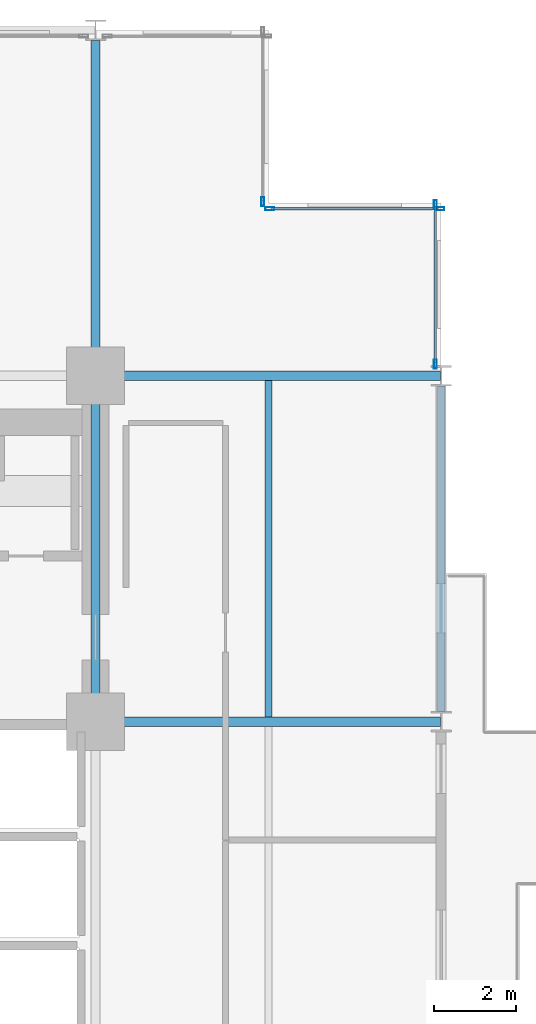
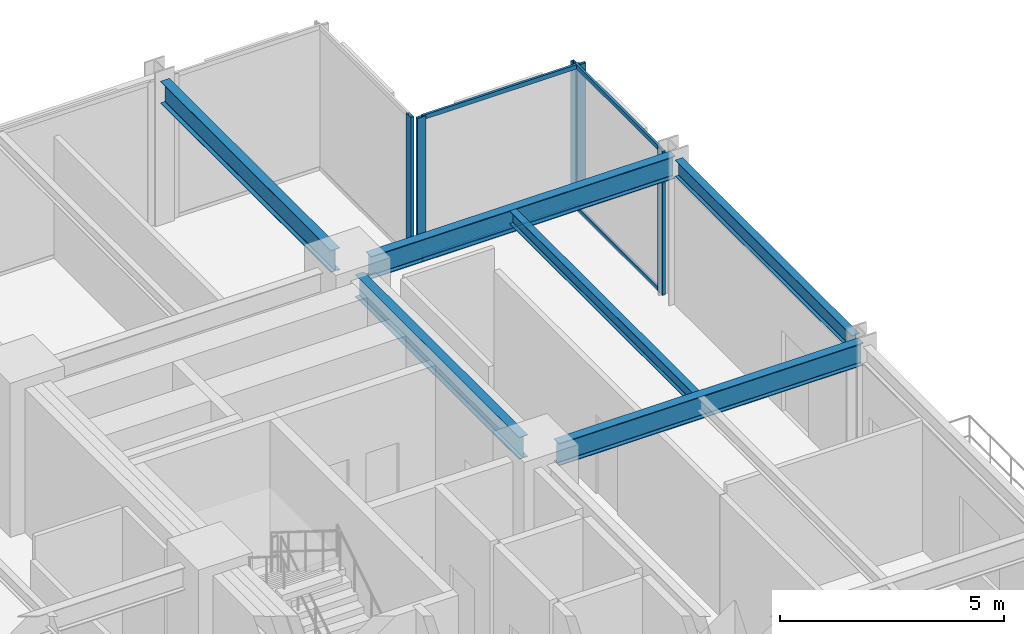
# One storey, part 16 of 24: 9 members, 6 beams, 3 elements without a shape of their own.
"""IFC4 building model written with IfcOpenShell, lengths in metres."""

from ifc_helpers import new_model, si_unit, direction, frame, origin, origin_2d, place, context, subcontext, project, spatial, hollow_rectangle, i_section, extrude, material, layer, layer_set, material_profile, profile_set, type_object, element, aggregate, save


model = new_model("IFC4")

# Units and contexts
model_context = context("Model", 3, precision=1e-05, world=origin(), true_north=direction((0.0, 1.0)))
body_context = subcontext(model_context, "Body", "Model", "MODEL_VIEW")
ifc_project = project(units=[si_unit("LENGTHUNIT", "METRE"), si_unit("AREAUNIT", "SQUARE_METRE"), si_unit("VOLUMEUNIT", "CUBIC_METRE"), si_unit("PLANEANGLEUNIT", "RADIAN"), si_unit("MASSUNIT", "GRAM", prefix="KILO")], contexts=[model_context])

# Site, building, storey
site_placement = place(None, origin())
site = spatial("IfcSite", under=ifc_project, at=site_placement, CompositionType="ELEMENT")
building_placement = place(site_placement, origin())
building = spatial("IfcBuilding", under=site, at=building_placement, Name="Nerrivon Quay Data Exchange", CompositionType="ELEMENT")
storey_placement = place(building_placement, frame((0.0, 0.0, 50.0)))
storey = spatial("IfcBuildingStorey", under=building, at=storey_placement, Name="L11", CompositionType="ELEMENT", Elevation=50.0)

# Beams
ifc_material_1 = material(Name="Steel Grade 350", Category="steel")
ifc_material_profile_1 = material_profile(ifc_material_1, i_section(OverallWidth=0.22900390625, OverallDepth=0.612060546875, WebThickness=0.011962890625, FlangeThickness=0.01953125, FilletRadius=0.013916015625, at=origin_2d()), Name="610UB125")
ifc_profile_set_1 = profile_set([ifc_material_profile_1], Name="Steel Grade 350")
beam_type_1 = type_object("IfcBeamType", Name="BM-G1-610UB125", PredefinedType="BEAM", material=ifc_profile_set_1)
for number, where, z_axis, x_axis, name in (
    (1, (17.340087890625, 33.60009765625, 3.618896484375), (1.0, 0.0, 0.0), (0.0, 1.0, 0.0), "L11 EW Girder Y=33.6 (16.8..25.2)"),
    (2, (17.340087890625, 42.0, 3.618896484375), (1.0, 0.0, 0.0), (0.0, 1.0, 0.0), "L11 EW Girder Y=42.0 (16.8..25.2)"),
):
    element("IfcBeam", number, at=place(storey_placement, frame(where, z_axis=z_axis, x_axis=x_axis)), inside=storey, type_object=beam_type_1, Name=name, PredefinedType="BEAM", context=body_context, shape_type="SweptSolid", body=[
        extrude(i_section(OverallWidth=0.22900390625, OverallDepth=0.612060546875, WebThickness=0.011962890625, FlangeThickness=0.01953125, FilletRadius=0.013916015625, at=origin_2d()), origin(), (0.0, 0.0, 1.0), 7.845947265625),
    ])
ifc_material_profile_2 = material_profile(ifc_material_1, i_section(OverallWidth=0.22802734375, OverallDepth=0.60205078125, WebThickness=0.010498046875, FlangeThickness=0.014892578125, FilletRadius=0.013916015625, at=origin_2d()), Name="610UB101")
ifc_profile_set_2 = profile_set([ifc_material_profile_2], Name="Steel Grade 350")
beam_type_2 = type_object("IfcBeamType", Name="BM-G2-610UB101", PredefinedType="BEAM", material=ifc_profile_set_2)
beam_1_placement = place(storey_placement, frame((16.800048828125, 34.139892578125, 3.6240234375), z_axis=(0.0, 1.0, 0.0), x_axis=(-1.0, 0.0, 0.0)))
element("IfcBeam", 3, at=beam_1_placement, inside=storey, type_object=beam_type_2, Name="L11 NS Girder X=16.8 (33.6..42.0)", PredefinedType="BEAM", context=body_context, shape_type="SweptSolid", body=[
    extrude(i_section(OverallWidth=0.22802734375, OverallDepth=0.60205078125, WebThickness=0.010498046875, FlangeThickness=0.014892578125, FilletRadius=0.013916015625, at=origin_2d()), origin(), (0.0, 0.0, 1.0), 7.320068359375),
])
beam_2_placement = place(storey_placement, frame((16.800048828125, 42.5400390625, 3.6240234375), z_axis=(0.0, 1.0, 0.0), x_axis=(-1.0, 0.0, 0.0)))
element("IfcBeam", 4, at=beam_2_placement, inside=storey, type_object=beam_type_2, Name="L11 NS Girder X=16.8 (42.0..50.4)", PredefinedType="BEAM", context=body_context, shape_type="SweptSolid", body=[
    extrude(i_section(OverallWidth=0.22802734375, OverallDepth=0.60205078125, WebThickness=0.010498046875, FlangeThickness=0.014892578125, FilletRadius=0.013916015625, at=origin_2d()), origin(), (0.0, 0.0, 1.0), 7.60986328125),
])
ifc_material_profile_3 = material_profile(ifc_material_1, i_section(OverallWidth=0.172119140625, OverallDepth=0.35888671875, WebThickness=0.008056640625, FlangeThickness=0.012939453125, FilletRadius=0.011474609375, at=origin_2d()), Name="360UB56.7")
ifc_profile_set_3 = profile_set([ifc_material_profile_3], Name="Steel Grade 350")
beam_type_3 = type_object("IfcBeamType", Name="BM-J3-360UB57", PredefinedType="JOIST", material=ifc_profile_set_3)
beam_3_placement = place(storey_placement, frame((21.0, 33.714599609375, 3.74560546875), z_axis=(0.0, 1.0, 0.0), x_axis=(-1.0, 0.0, 0.0)))
element("IfcBeam", 5, at=beam_3_placement, inside=storey, type_object=beam_type_3, Name="L11 Secondary Joist X=21.0 (33.6..42.0)", PredefinedType="JOIST", context=body_context, shape_type="SweptSolid", body=[
    extrude(i_section(OverallWidth=0.172119140625, OverallDepth=0.35888671875, WebThickness=0.008056640625, FlangeThickness=0.012939453125, FilletRadius=0.011474609375, at=origin_2d()), origin(), (0.0, 0.0, 1.0), 8.1708984375),
])
ifc_material_profile_4 = material_profile(ifc_material_1, i_section(OverallWidth=0.18994140625, OverallDepth=0.4541015625, WebThickness=0.008544921875, FlangeThickness=0.0126953125, FilletRadius=0.011474609375, at=origin_2d()), Name="460UB67.1")
ifc_profile_set_4 = profile_set([ifc_material_profile_4], Name="Steel Grade 350")
beam_type_4 = type_object("IfcBeamType", Name="BM-SP1-460UB67", PredefinedType="SPANDREL", material=ifc_profile_set_4)
beam_4_placement = place(storey_placement, frame((25.199951171875, 33.85009765625, 3.697998046875), z_axis=(0.0, 1.0, 0.0), x_axis=(-1.0, 0.0, 0.0)))
element("IfcBeam", 6, at=beam_4_placement, inside=storey, type_object=beam_type_4, Name="L11 NS Girder X=25.2 (33.6..42.0)", PredefinedType="SPANDREL", context=body_context, shape_type="SweptSolid", body=[
    extrude(i_section(OverallWidth=0.18994140625, OverallDepth=0.4541015625, WebThickness=0.008544921875, FlangeThickness=0.0126953125, FilletRadius=0.011474609375, at=origin_2d()), origin(), (0.0, 0.0, 1.0), 7.89990234375),
])

# Curtain wall, member
ifc_material_2 = material(Name="Anodised aluminium 6063-T6", Category="aluminium")
ifc_layer = layer(ifc_material_2, 0.219970703125)
ifc_layer_set = layer_set([ifc_layer], Name="Anodised aluminium 6063-T6")
curtain_wall_type = type_object("IfcCurtainWallType", Name="CW-SYS-01", PredefinedType="NOTDEFINED", material=ifc_layer_set)
curtain_wall_1_placement = place(storey_placement, origin())
curtain_wall_1 = element("IfcCurtainWall", 7, at=curtain_wall_1_placement, inside=storey, type_object=curtain_wall_type, Name="L11 Unitised Curtain Wall 23", PredefinedType="NOTDEFINED")
ifc_material_profile_5 = material_profile(ifc_material_2, hollow_rectangle(XDim=0.074951171875, YDim=0.219970703125, WallThickness=0.00390625, at=origin_2d()), Name="ALU-MULL-220x75")
ifc_profile_set_5 = profile_set([ifc_material_profile_5], Name="Anodised aluminium 6063-T6")
member_type_1 = type_object("IfcMemberType", Name="CWM-220x75", PredefinedType="MULLION", material=ifc_profile_set_5)
member_1_placement = place(storey_placement, frame((20.860107421875, 46.237548828125, 0.0), z_axis=(0.0, 0.0, 1.0), x_axis=(1.0, 0.0, 0.0)))
member_1 = element("IfcMember", 8, at=member_1_placement, type_object=member_type_1, Name="CW01 mullion 2", PredefinedType="MULLION", context=body_context, shape_type="SweptSolid", body=[
    extrude(hollow_rectangle(XDim=0.074951171875, YDim=0.219970703125, WallThickness=0.00390625, at=origin_2d()), origin(), (0.0, 0.0, 1.0), 3.925048828125),
])
aggregate(curtain_wall_1, [member_1])

# Curtain wall, members
curtain_wall_2_placement = place(storey_placement, origin())
curtain_wall_2 = element("IfcCurtainWall", 9, at=curtain_wall_2_placement, inside=storey, type_object=curtain_wall_type, Name="L11 Unitised Curtain Wall 24", PredefinedType="NOTDEFINED")
member_2_placement = place(storey_placement, frame((21.03759765625, 46.06005859375, 0.0), z_axis=(0.0, 0.0, 1.0), x_axis=(0.0, 1.0, 0.0)))
member_2 = element("IfcMember", 10, at=member_2_placement, type_object=member_type_1, Name="CW01 mullion 1", PredefinedType="MULLION", context=body_context, shape_type="SweptSolid", body=[
    extrude(hollow_rectangle(XDim=0.074951171875, YDim=0.219970703125, WallThickness=0.00390625, at=origin_2d()), origin(), (0.0, 0.0, 1.0), 3.925048828125),
])
member_3_placement = place(storey_placement, frame((25.16259765625, 46.06005859375, 0.0), z_axis=(0.0, 0.0, 1.0), x_axis=(0.0, 1.0, 0.0)))
member_3 = element("IfcMember", 11, at=member_3_placement, type_object=member_type_1, Name="CW01 mullion 2", PredefinedType="MULLION", context=body_context, shape_type="SweptSolid", body=[
    extrude(hollow_rectangle(XDim=0.074951171875, YDim=0.219970703125, WallThickness=0.00390625, at=origin_2d()), origin(), (0.0, 0.0, 1.0), 3.925048828125),
])

curtain_wall_3_placement = place(storey_placement, origin())
curtain_wall_3 = element("IfcCurtainWall", 12, at=curtain_wall_3_placement, inside=storey, type_object=curtain_wall_type, Name="L11 Unitised Curtain Wall 25", PredefinedType="NOTDEFINED")
member_4_placement = place(storey_placement, frame((25.06005859375, 46.16259765625, 0.0), z_axis=(0.0, 0.0, 1.0), x_axis=(1.0, 0.0, 0.0)))
member_4 = element("IfcMember", 13, at=member_4_placement, type_object=member_type_1, Name="CW01 mullion 1", PredefinedType="MULLION", context=body_context, shape_type="SweptSolid", body=[
    extrude(hollow_rectangle(XDim=0.074951171875, YDim=0.219970703125, WallThickness=0.00390625, at=origin_2d()), origin(), (0.0, 0.0, 1.0), 3.925048828125),
])
member_5_placement = place(storey_placement, frame((25.06005859375, 42.28759765625, 0.0), z_axis=(0.0, 0.0, 1.0), x_axis=(1.0, 0.0, 0.0)))
member_5 = element("IfcMember", 14, at=member_5_placement, type_object=member_type_1, Name="CW01 mullion 2", PredefinedType="MULLION", context=body_context, shape_type="SweptSolid", body=[
    extrude(hollow_rectangle(XDim=0.074951171875, YDim=0.219970703125, WallThickness=0.00390625, at=origin_2d()), origin(), (0.0, 0.0, 1.0), 3.925048828125),
])

# Member
ifc_material_profile_6 = material_profile(ifc_material_2, hollow_rectangle(XDim=0.06005859375, YDim=0.1201171875, WallThickness=0.003173828125, at=origin_2d()), Name="ALU-TRAN-120x60")
ifc_profile_set_6 = profile_set([ifc_material_profile_6], Name="Anodised aluminium 6063-T6")
member_type_2 = type_object("IfcMemberType", Name="CWT-120x60", PredefinedType="USERDEFINED", material=ifc_profile_set_6)
member_6_placement = place(storey_placement, frame((21.074951171875, 46.06005859375, 0.032470703125), z_axis=(1.0, 0.0, 0.0), x_axis=(0.0, 1.0, 0.0)))
member_6 = element("IfcMember", 15, at=member_6_placement, type_object=member_type_2, Name="CW01 transom 1.1", ObjectType="TRANSOM", PredefinedType="USERDEFINED", context=body_context, shape_type="SweptSolid", body=[
    extrude(hollow_rectangle(XDim=0.06005859375, YDim=0.1201171875, WallThickness=0.003173828125, at=origin_2d()), origin(), (0.0, 0.0, 1.0), 4.050048828125),
])

member_7_placement = place(storey_placement, frame((21.074951171875, 46.06005859375, 3.892578125), z_axis=(1.0, 0.0, 0.0), x_axis=(0.0, 1.0, 0.0)))
member_7 = element("IfcMember", 16, at=member_7_placement, type_object=member_type_2, Name="CW01 transom 1.2", ObjectType="TRANSOM", PredefinedType="USERDEFINED", context=body_context, shape_type="SweptSolid", body=[
    extrude(hollow_rectangle(XDim=0.06005859375, YDim=0.1201171875, WallThickness=0.003173828125, at=origin_2d()), origin(), (0.0, 0.0, 1.0), 4.050048828125),
])

aggregate(curtain_wall_2, [member_2, member_3, member_6, member_7])

member_8_placement = place(storey_placement, frame((25.06005859375, 46.125, 0.032470703125), z_axis=(0.0, -1.0, 0.0), x_axis=(1.0, 0.0, 0.0)))
member_8 = element("IfcMember", 17, at=member_8_placement, type_object=member_type_2, Name="CW01 transom 1.1", ObjectType="TRANSOM", PredefinedType="USERDEFINED", context=body_context, shape_type="SweptSolid", body=[
    extrude(hollow_rectangle(XDim=0.06005859375, YDim=0.1201171875, WallThickness=0.003173828125, at=origin_2d()), origin(), (0.0, 0.0, 1.0), 3.800048828125),
])

member_9_placement = place(storey_placement, frame((25.06005859375, 46.125, 3.892578125), z_axis=(0.0, -1.0, 0.0), x_axis=(1.0, 0.0, 0.0)))
member_9 = element("IfcMember", 18, at=member_9_placement, type_object=member_type_2, Name="CW01 transom 1.2", ObjectType="TRANSOM", PredefinedType="USERDEFINED", context=body_context, shape_type="SweptSolid", body=[
    extrude(hollow_rectangle(XDim=0.06005859375, YDim=0.1201171875, WallThickness=0.003173828125, at=origin_2d()), origin(), (0.0, 0.0, 1.0), 3.800048828125),
])

aggregate(curtain_wall_3, [member_4, member_5, member_8, member_9])

save(model, "model.ifc")
